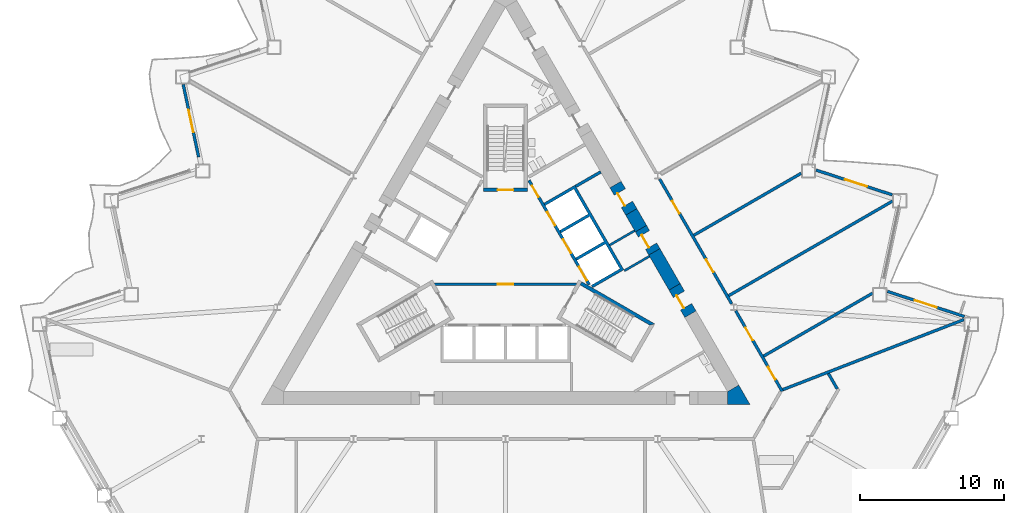
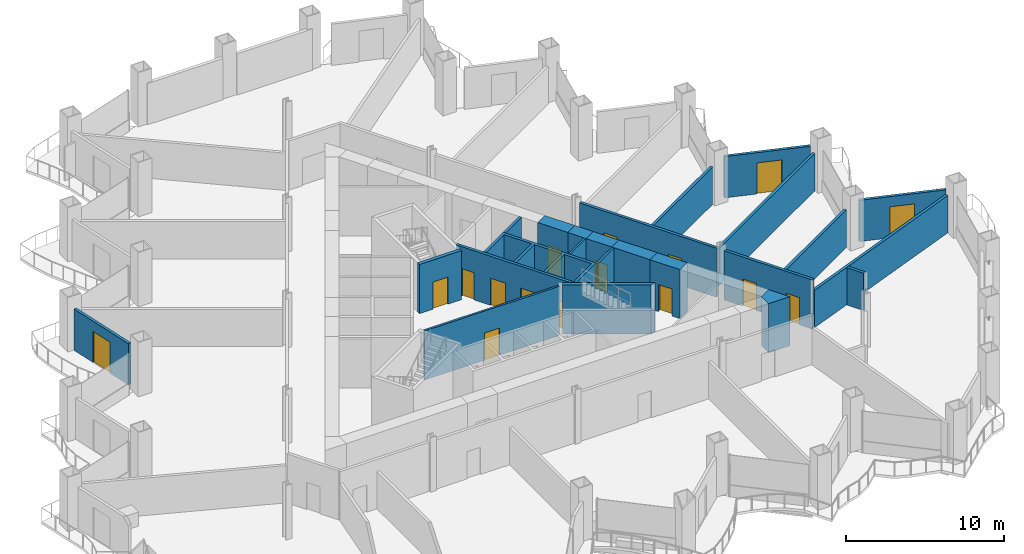
# One storey, part 11 of 21: 24 walls, 16 doors, 16 openings.
"""IFC4 building model written with IfcOpenShell, lengths in metres."""

from ifc_helpers import new_model, si_unit, direction, frame, frame_2d, origin, place, context, subcontext, project, spatial, polyline, rectangle, outline, extrude, material, layer, layer_set, type_object, element, fill, save


model = new_model("IFC4")

# Units and contexts
model_context = context("Model", 3, precision=1e-05, world=origin(), true_north=direction((0.0, 1.0)))
body_context = subcontext(model_context, "Body", "Model", "MODEL_VIEW")
ifc_project = project(units=[si_unit("LENGTHUNIT", "METRE"), si_unit("AREAUNIT", "SQUARE_METRE"), si_unit("VOLUMEUNIT", "CUBIC_METRE"), si_unit("PLANEANGLEUNIT", "RADIAN"), si_unit("MASSUNIT", "GRAM", prefix="KILO")], contexts=[model_context])

# Site, building, storey
site_placement = place(None, origin())
site = spatial("IfcSite", under=ifc_project, at=site_placement, CompositionType="ELEMENT")
building_placement = place(site_placement, origin())
building = spatial("IfcBuilding", under=site, at=building_placement, Name="Cormorant Prow Tower", CompositionType="ELEMENT")
storey_placement = place(building_placement, frame((0.0, 0.0, 42.60009765625)))
storey = spatial("IfcBuildingStorey", under=building, at=storey_placement, Name="L08", CompositionType="ELEMENT", Elevation=42.60009765625)

# Wall, opening, door
ifc_material_1 = material(Name="Gypsum board partition")
ifc_layer_1 = layer(ifc_material_1, 0.14990234375)
ifc_layer_set_1 = layer_set([ifc_layer_1], Name="Gypsum board partition")
wall_type_1 = type_object("IfcWallType", Name="Core partition 150", PredefinedType="PARTITIONING", material=ifc_layer_set_1)
wall_1_placement = place(storey_placement, frame((-4.941162109375, -1.449951171875, 0.0), z_axis=(0.0, 0.0, 1.0), x_axis=(1.0, 0.0, 0.0)))
wall_1 = element("IfcWall", 1, at=wall_1_placement, inside=storey, type_object=wall_type_1, Name="Firefighting lobby partition", PredefinedType="PARTITIONING", context=body_context, shape_type="SweptSolid", body=[
    extrude(rectangle(XDim=9.88232421875, YDim=0.14990234375, at=frame_2d((4.941162109375, 0.0))), origin(), (0.0, 0.0, 1.0), 3.7998046875),
])
opening_1_placement = place(wall_1_placement, frame((4.39111328125, 0.0, 0.0)))
opening_1 = element("IfcOpeningElement", 2, at=opening_1_placement, cuts=wall_1, Name="Opening L08-C11", PredefinedType="OPENING", context=body_context, shape_type="SweptSolid", body=[
    extrude(rectangle(XDim=1.10009765625, YDim=2.10009765625, at=frame_2d((0.550048828125, 1.050048828125))), frame((0.0, 0.0849609375, 0.0), z_axis=(0.0, -1.0, 0.0), x_axis=(1.0, 0.0, 0.0)), (0.0, 0.0, 1.0), 0.169921875),
])
ifc_material_2 = material(Name="Painted steel", Category="steel")
door_type_1 = type_object("IfcDoorType", Name="Firefighting lobby door 1100x2100", OperationType="NOTDEFINED", PredefinedType="DOOR", material=ifc_material_2)
door_1_placement = place(opening_1_placement, origin())
door_1 = element("IfcDoor", 3, at=door_1_placement, inside=storey, type_object=door_type_1, Name="Firefighting lobby door", OperationType="SINGLE_SWING_RIGHT", OverallHeight=2.10009765625, OverallWidth=1.10009765625, PredefinedType="DOOR", context=body_context, shape_type="SweptSolid", body=[
    extrude(rectangle(XDim=1.10009765625, YDim=2.10009765625, at=frame_2d((0.550048828125, 1.050048828125))), frame((0.0, 0.02490234375, 0.0), z_axis=(0.0, -1.0, 0.0), x_axis=(1.0, 0.0, 0.0)), (0.0, 0.0, 1.0), 0.050048828125),
])
fill(opening_1, door_1)

# Walls
wall_2_placement = place(storey_placement, frame((8.268310546875, -0.509033203125, 0.0), z_axis=(0.0, 0.0, 1.0), x_axis=(0.866035824272, 0.499981950752, 0.0)))
element("IfcWall", 4, at=wall_2_placement, inside=storey, type_object=wall_type_1, Name="Service room partition", PredefinedType="PARTITIONING", context=body_context, shape_type="SweptSolid", body=[
    extrude(rectangle(XDim=2.0087890625, YDim=0.14990234375, at=frame_2d((1.00439453125, 0.0))), origin(), (0.0, 0.0, 1.0), 3.7998046875),
])
wall_3_placement = place(storey_placement, frame((8.980712890625, 2.275146484375, 0.0), z_axis=(0.0, 0.0, 1.0), x_axis=(-0.866013584312, -0.500020471368, 0.0)))
element("IfcWall", 5, at=wall_3_placement, inside=storey, type_object=wall_type_1, Name="Service room partition", PredefinedType="PARTITIONING", context=body_context, shape_type="SweptSolid", body=[
    extrude(rectangle(XDim=2.00927734375, YDim=0.14990234375, at=frame_2d((1.004638671875, 0.0))), origin(), (0.0, 0.0, 1.0), 3.7998046875),
])
ifc_material_3 = material(Name="Concrete 8000 psi", Category="concrete")
ifc_layer_2 = layer(ifc_material_3, 0.89990234375)
ifc_layer_set_2 = layer_set([ifc_layer_2], Name="Concrete 8000 psi")
wall_type_2 = type_object("IfcWallType", Name="Core shear wall 900", PredefinedType="SHEAR", material=ifc_layer_set_2)
wall_4_placement = place(storey_placement, frame((11.7548828125, -1.63037109375, 0.0), z_axis=(0.0, 0.0, 1.0), x_axis=(-0.499943114462, 0.866058244174, 0.0)))
element("IfcWall", 6, at=wall_4_placement, inside=storey, type_object=wall_type_2, Name="Core wall", PredefinedType="SHEAR", context=body_context, shape_type="SweptSolid", body=[
    extrude(rectangle(XDim=2.809326171875, YDim=0.89990234375, at=frame_2d((1.40478515625, 0.0))), origin(), (0.0, 0.0, 1.0), 3.7998046875),
])
wall_5_placement = place(storey_placement, frame((9.417724609375, 2.417724609375, 0.0), z_axis=(0.0, 0.0, 1.0), x_axis=(-0.49995335277, 0.8660523339, 0.0)))
element("IfcWall", 7, at=wall_5_placement, inside=storey, type_object=wall_type_2, Name="Core wall", PredefinedType="SHEAR", context=body_context, shape_type="SweptSolid", body=[
    extrude(rectangle(XDim=1.342529296875, YDim=0.89990234375, at=frame_2d((0.67138671875, 0.0))), origin(), (0.0, 0.0, 1.0), 3.7998046875),
])
wall_6_placement = place(storey_placement, origin())
element("IfcWall", 8, at=wall_6_placement, inside=storey, type_object=wall_type_2, Name="Core wall corner", PredefinedType="SHEAR", context=body_context, shape_type="SweptSolid", body=[
    extrude(outline(polyline([(15.441162109375, -9.81494140625), (15.441162109375, -8.9150390625), (16.220703125, -8.465087890625), (17.0, -9.81494140625), (15.441162109375, -9.81494140625)])), origin(), (0.0, 0.0, 1.0), 3.7998046875),
])

# Wall, opening, door
wall_7_placement = place(storey_placement, frame((12.85498046875, -3.53564453125, 0.0), z_axis=(0.0, 0.0, 1.0), x_axis=(-0.50002983664, 0.866008176907, 0.0)))
wall_7 = element("IfcWall", 9, at=wall_7_placement, inside=storey, type_object=wall_type_2, Name="Core wall door panel", PredefinedType="SHEAR", context=body_context, shape_type="SweptSolid", body=[
    extrude(rectangle(XDim=2.199951171875, YDim=0.89990234375, at=frame_2d((1.10009765625, 0.0))), origin(), (0.0, 0.0, 1.0), 3.7998046875),
])
opening_2_placement = place(wall_7_placement, frame((0.60009765625, 0.0, 0.0)))
opening_2 = element("IfcOpeningElement", 10, at=opening_2_placement, cuts=wall_7, Name="Opening L08-C17", PredefinedType="OPENING", context=body_context, shape_type="SweptSolid", body=[
    extrude(rectangle(XDim=1.0, YDim=2.10009765625, at=frame_2d((0.5, 1.050048828125))), frame((0.0, 0.4599609375, 0.0), z_axis=(0.0, -1.0, 0.0), x_axis=(1.0, 0.0, 0.0)), (0.0, 0.0, 1.0), 0.919921875),
])
ifc_material_4 = material(Name="Painted steel", Category="steel")
door_type_2 = type_object("IfcDoorType", Name="Service door 1000x2100", OperationType="NOTDEFINED", PredefinedType="DOOR", material=ifc_material_4)
door_2_placement = place(opening_2_placement, origin())
door_2 = element("IfcDoor", 11, at=door_2_placement, inside=storey, type_object=door_type_2, Name="Core door, Electrical room", OperationType="SINGLE_SWING_LEFT", OverallHeight=2.10009765625, OverallWidth=1.0, PredefinedType="DOOR", context=body_context, shape_type="SweptSolid", body=[
    extrude(rectangle(XDim=1.0, YDim=2.10009765625, at=frame_2d((0.5, 1.050048828125))), frame((0.0, 0.205078125, 0.0), z_axis=(0.0, -1.0, 0.0), x_axis=(1.0, 0.0, 0.0)), (0.0, 0.0, 1.0), 0.050048828125),
])
fill(opening_2, door_2)

wall_8_placement = place(storey_placement, frame((10.350341796875, 0.802734375, 0.0), z_axis=(0.0, 0.0, 1.0), x_axis=(-0.500081290722, 0.865978465477, 0.0)))
wall_8 = element("IfcWall", 12, at=wall_8_placement, inside=storey, type_object=wall_type_2, Name="Core wall door panel", PredefinedType="SHEAR", context=body_context, shape_type="SweptSolid", body=[
    extrude(rectangle(XDim=1.864990234375, YDim=0.89990234375, at=frame_2d((0.9326171875, 0.0))), origin(), (0.0, 0.0, 1.0), 3.7998046875),
])
opening_3_placement = place(wall_8_placement, frame((0.449951171875, 0.0, 0.0)))
opening_3 = element("IfcOpeningElement", 13, at=opening_3_placement, cuts=wall_8, Name="Opening L08-C18", PredefinedType="OPENING", context=body_context, shape_type="SweptSolid", body=[
    extrude(rectangle(XDim=1.0, YDim=2.10009765625, at=frame_2d((0.5, 1.050048828125))), frame((0.0, 0.4599609375, 0.0), z_axis=(0.0, -1.0, 0.0), x_axis=(1.0, 0.0, 0.0)), (0.0, 0.0, 1.0), 0.919921875),
])
door_3_placement = place(opening_3_placement, origin())
door_3 = element("IfcDoor", 14, at=door_3_placement, inside=storey, type_object=door_type_2, Name="Core door, Mechanical riser room", OperationType="SINGLE_SWING_RIGHT", OverallHeight=2.10009765625, OverallWidth=1.0, PredefinedType="DOOR", context=body_context, shape_type="SweptSolid", body=[
    extrude(rectangle(XDim=1.0, YDim=2.10009765625, at=frame_2d((0.5, 1.050048828125))), frame((0.0, 0.205078125, 0.0), z_axis=(0.0, -1.0, 0.0), x_axis=(1.0, 0.0, 0.0)), (0.0, 0.0, 1.0), 0.050048828125),
])
fill(opening_3, door_3)

wall_9_placement = place(storey_placement, frame((8.74658203125, 3.580322265625, 0.0), z_axis=(0.0, 0.0, 1.0), x_axis=(-0.50002983664, 0.866008176907, 0.0)))
wall_9 = element("IfcWall", 15, at=wall_9_placement, inside=storey, type_object=wall_type_2, Name="Core wall door panel", PredefinedType="SHEAR", context=body_context, shape_type="SweptSolid", body=[
    extrude(rectangle(XDim=2.199951171875, YDim=0.89990234375, at=frame_2d((1.10009765625, 0.0))), origin(), (0.0, 0.0, 1.0), 3.7998046875),
])
opening_4_placement = place(wall_9_placement, frame((0.60009765625, 0.0, 0.0)))
opening_4 = element("IfcOpeningElement", 16, at=opening_4_placement, cuts=wall_9, Name="Opening L08-C20", PredefinedType="OPENING", context=body_context, shape_type="SweptSolid", body=[
    extrude(rectangle(XDim=1.0, YDim=2.10009765625, at=frame_2d((0.5, 1.050048828125))), frame((0.0, 0.4599609375, 0.0), z_axis=(0.0, -1.0, 0.0), x_axis=(1.0, 0.0, 0.0)), (0.0, 0.0, 1.0), 0.919921875),
])
door_4_placement = place(opening_4_placement, origin())
door_4 = element("IfcDoor", 17, at=door_4_placement, inside=storey, type_object=door_type_2, Name="Core door, Pantry store", OperationType="SINGLE_SWING_LEFT", OverallHeight=2.10009765625, OverallWidth=1.0, PredefinedType="DOOR", context=body_context, shape_type="SweptSolid", body=[
    extrude(rectangle(XDim=1.0, YDim=2.10009765625, at=frame_2d((0.5, 1.050048828125))), frame((0.0, 0.205078125, 0.0), z_axis=(0.0, -1.0, 0.0), x_axis=(1.0, 0.0, 0.0)), (0.0, 0.0, 1.0), 0.050048828125),
])
fill(opening_4, door_4)

# Wall, openings, doors
ifc_material_5 = material(Name="Gypsum board corridor wall")
ifc_layer_3 = layer(ifc_material_5, 0.199951171875)
ifc_layer_set_3 = layer_set([ifc_layer_3], Name="Gypsum board corridor wall")
wall_type_3 = type_object("IfcWallType", Name="Corridor wall 200", PredefinedType="PARTITIONING", material=ifc_layer_set_3)
wall_10_placement = place(storey_placement, frame((10.718505859375, 5.865234375, 0.0), z_axis=(0.0, 0.0, 1.0), x_axis=(0.49999175339, -0.866030164915, 0.0)))
wall_10 = element("IfcWall", 18, at=wall_10_placement, inside=storey, type_object=wall_type_3, Name="Corridor wall", PredefinedType="PARTITIONING", context=body_context, shape_type="SweptSolid", body=[
    extrude(rectangle(XDim=10.018798828125, YDim=0.199951171875, at=frame_2d((5.00927734375, 0.0))), origin(), (0.0, 0.0, 1.0), 3.7998046875),
])
opening_5_placement = place(wall_10_placement, frame((6.4638671875, 0.0, 0.0)))
opening_5 = element("IfcOpeningElement", 19, at=opening_5_placement, cuts=wall_10, Name="Opening L08-F09", PredefinedType="OPENING", context=body_context, shape_type="SweptSolid", body=[
    extrude(rectangle(XDim=1.0, YDim=2.10009765625, at=frame_2d((0.5, 1.050048828125))), frame((0.0, 0.10986328125, 0.0), z_axis=(0.0, -1.0, 0.0), x_axis=(1.0, 0.0, 0.0)), (0.0, 0.0, 1.0), 0.219970703125),
])
opening_6_placement = place(wall_10_placement, frame((1.75341796875, 0.0, 0.0)))
opening_6 = element("IfcOpeningElement", 20, at=opening_6_placement, cuts=wall_10, Name="Opening L08-F10", PredefinedType="OPENING", context=body_context, shape_type="SweptSolid", body=[
    extrude(rectangle(XDim=1.0, YDim=2.10009765625, at=frame_2d((0.5, 1.050048828125))), frame((0.0, 0.10986328125, 0.0), z_axis=(0.0, -1.0, 0.0), x_axis=(1.0, 0.0, 0.0)), (0.0, 0.0, 1.0), 0.219970703125),
])
ifc_material_6 = material(Name="Timber door leaf", Category="wood")
door_type_3 = type_object("IfcDoorType", Name="Office door 1000x2100", OperationType="NOTDEFINED", PredefinedType="DOOR", material=ifc_material_6)
door_5_placement = place(opening_5_placement, origin())
door_5 = element("IfcDoor", 21, at=door_5_placement, inside=storey, type_object=door_type_3, Name="Meeting room door", OperationType="SINGLE_SWING_RIGHT", OverallHeight=2.10009765625, OverallWidth=1.0, PredefinedType="DOOR", context=body_context, shape_type="SweptSolid", body=[
    extrude(rectangle(XDim=1.0, YDim=2.10009765625, at=frame_2d((0.5, 1.050048828125))), frame((0.0, 0.02490234375, 0.0), z_axis=(0.0, -1.0, 0.0), x_axis=(1.0, 0.0, 0.0)), (0.0, 0.0, 1.0), 0.050048828125),
])
fill(opening_5, door_5)
door_6_placement = place(opening_6_placement, origin())
door_6 = element("IfcDoor", 22, at=door_6_placement, inside=storey, type_object=door_type_3, Name="Meeting room door", OperationType="SINGLE_SWING_LEFT", OverallHeight=2.10009765625, OverallWidth=1.0, PredefinedType="DOOR", context=body_context, shape_type="SweptSolid", body=[
    extrude(rectangle(XDim=1.0, YDim=2.10009765625, at=frame_2d((0.5, 1.050048828125))), frame((0.0, 0.02490234375, 0.0), z_axis=(0.0, -1.0, 0.0), x_axis=(1.0, 0.0, 0.0)), (0.0, 0.0, 1.0), 0.050048828125),
])
fill(opening_6, door_6)

wall_11_placement = place(storey_placement, frame((16.007568359375, -3.2958984375, 0.0), z_axis=(0.0, 0.0, 1.0), x_axis=(0.499984737558, -0.86603421538, 0.0)))
wall_11 = element("IfcWall", 23, at=wall_11_placement, inside=storey, type_object=wall_type_3, Name="Corridor wall", PredefinedType="PARTITIONING", context=body_context, shape_type="SweptSolid", body=[
    extrude(rectangle(XDim=6.472900390625, YDim=0.199951171875, at=frame_2d((3.236328125, 0.0))), origin(), (0.0, 0.0, 1.0), 3.7998046875),
])
opening_7_placement = place(wall_11_placement, frame((4.51220703125, 0.0, 0.0)))
opening_7 = element("IfcOpeningElement", 24, at=opening_7_placement, cuts=wall_11, Name="Opening L08-F07", PredefinedType="OPENING", context=body_context, shape_type="SweptSolid", body=[
    extrude(rectangle(XDim=1.0, YDim=2.10009765625, at=frame_2d((0.5, 1.050048828125))), frame((0.0, 0.10986328125, 0.0), z_axis=(0.0, -1.0, 0.0), x_axis=(1.0, 0.0, 0.0)), (0.0, 0.0, 1.0), 0.219970703125),
])
opening_8_placement = place(wall_11_placement, frame((1.3662109375, 0.0, 0.0)))
opening_8 = element("IfcOpeningElement", 25, at=opening_8_placement, cuts=wall_11, Name="Opening L08-F08", PredefinedType="OPENING", context=body_context, shape_type="SweptSolid", body=[
    extrude(rectangle(XDim=1.0, YDim=2.10009765625, at=frame_2d((0.5, 1.050048828125))), frame((0.0, 0.10986328125, 0.0), z_axis=(0.0, -1.0, 0.0), x_axis=(1.0, 0.0, 0.0)), (0.0, 0.0, 1.0), 0.219970703125),
])
door_7_placement = place(opening_7_placement, origin())
door_7 = element("IfcDoor", 26, at=door_7_placement, inside=storey, type_object=door_type_3, Name="Meeting room door", OperationType="SINGLE_SWING_LEFT", OverallHeight=2.10009765625, OverallWidth=1.0, PredefinedType="DOOR", context=body_context, shape_type="SweptSolid", body=[
    extrude(rectangle(XDim=1.0, YDim=2.10009765625, at=frame_2d((0.5, 1.050048828125))), frame((0.0, 0.02490234375, 0.0), z_axis=(0.0, -1.0, 0.0), x_axis=(1.0, 0.0, 0.0)), (0.0, 0.0, 1.0), 0.050048828125),
])
fill(opening_7, door_7)
door_8_placement = place(opening_8_placement, origin())
door_8 = element("IfcDoor", 27, at=door_8_placement, inside=storey, type_object=door_type_3, Name="Meeting room door", OperationType="SINGLE_SWING_RIGHT", OverallHeight=2.10009765625, OverallWidth=1.0, PredefinedType="DOOR", context=body_context, shape_type="SweptSolid", body=[
    extrude(rectangle(XDim=1.0, YDim=2.10009765625, at=frame_2d((0.5, 1.050048828125))), frame((0.0, 0.02490234375, 0.0), z_axis=(0.0, -1.0, 0.0), x_axis=(1.0, 0.0, 0.0)), (0.0, 0.0, 1.0), 0.050048828125),
])
fill(opening_8, door_8)

# Walls
ifc_material_7 = material(Name="Gypsum board demising wall")
ifc_layer_4 = layer(ifc_material_7, 0.199951171875)
ifc_layer_set_4 = layer_set([ifc_layer_4], Name="Gypsum board demising wall")
wall_type_4 = type_object("IfcWallType", Name="Demising wall 200", PredefinedType="PARTITIONING", material=ifc_layer_set_4)
wall_12_placement = place(storey_placement, frame((19.287109375, -8.77880859375, 0.0), z_axis=(0.0, 0.0, 1.0), x_axis=(0.932669586354, 0.360731815467, 0.0)))
element("IfcWall", 28, at=wall_12_placement, inside=storey, type_object=wall_type_4, Name="Demising wall", PredefinedType="PARTITIONING", context=body_context, shape_type="SweptSolid", body=[
    extrude(rectangle(XDim=13.501220703125, YDim=0.199951171875, at=frame_2d((6.75048828125, 0.0))), origin(), (0.0, 0.0, 1.0), 2.88525390625),
])
wall_13_placement = place(storey_placement, frame((15.517578125, -2.24755859375, 0.0), z_axis=(0.0, 0.0, 1.0), x_axis=(0.866025231175, 0.500000298968, 0.0)))
element("IfcWall", 29, at=wall_13_placement, inside=storey, type_object=wall_type_4, Name="Demising wall", PredefinedType="PARTITIONING", context=body_context, shape_type="SweptSolid", body=[
    extrude(rectangle(XDim=13.15869140625, YDim=0.199951171875, at=frame_2d((6.579345703125, 0.0))), origin(), (0.0, 0.0, 1.0), 2.88525390625),
])
wall_14_placement = place(storey_placement, frame((17.944091796875, -6.4501953125, 0.0), z_axis=(0.0, 0.0, 1.0), x_axis=(0.866025328989, 0.50000012955, 0.0)))
element("IfcWall", 30, at=wall_14_placement, inside=storey, type_object=wall_type_4, Name="Demising wall", PredefinedType="PARTITIONING", context=body_context, shape_type="SweptSolid", body=[
    extrude(rectangle(XDim=8.75244140625, YDim=0.199951171875, at=frame_2d((4.376220703125, 0.0))), origin(), (0.0, 0.0, 1.0), 2.88525390625),
])
wall_15_placement = place(storey_placement, frame((13.09130859375, 1.954833984375, 0.0), z_axis=(0.0, 0.0, 1.0), x_axis=(0.866026670206, 0.499997806488, 0.0)))
element("IfcWall", 31, at=wall_15_placement, inside=storey, type_object=wall_type_4, Name="Demising wall", PredefinedType="PARTITIONING", context=body_context, shape_type="SweptSolid", body=[
    extrude(rectangle(XDim=8.62158203125, YDim=0.199951171875, at=frame_2d((4.310791015625, 0.0))), origin(), (0.0, 0.0, 1.0), 2.88525390625),
])
wall_16_placement = place(storey_placement, frame((22.453125, -7.66015625, 0.0), z_axis=(0.0, 0.0, 1.0), x_axis=(0.499928040405, -0.86606694569, 0.0)))
element("IfcWall", 32, at=wall_16_placement, inside=storey, type_object=wall_type_4, Name="Demising wall", PredefinedType="PARTITIONING", context=body_context, shape_type="SweptSolid", body=[
    extrude(rectangle(XDim=1.233642578125, YDim=0.199951171875, at=frame_2d((0.61669921875, 0.0))), origin(), (0.0, 0.0, 1.0), 2.88525390625),
])

# Wall, openings, doors
ifc_material_8 = material(Name="Concrete 5000 psi", Category="concrete")
ifc_layer_5 = layer(ifc_material_8, 0.199951171875)
ifc_layer_set_5 = layer_set([ifc_layer_5], Name="Concrete 5000 psi")
wall_type_5 = type_object("IfcWallType", Name="Lift lobby wall 200", PredefinedType="SOLIDWALL", material=ifc_layer_set_5)
wall_17_placement = place(storey_placement, frame((5.817138671875, -1.4755859375, 0.0), z_axis=(0.0, 0.0, 1.0), x_axis=(-0.500002616675, 0.866023893041, 0.0)))
wall_17 = element("IfcWall", 33, at=wall_17_placement, inside=storey, type_object=wall_type_5, Name="Lift lobby wall, ENE block", PredefinedType="SOLIDWALL", context=body_context, shape_type="SweptSolid", body=[
    extrude(rectangle(XDim=8.373046875, YDim=0.199951171875, at=frame_2d((4.1865234375, 0.0))), origin(), (0.0, 0.0, 1.0), 3.7998046875),
])
opening_9_placement = place(wall_17_placement, frame((0.336669921875, 0.0, 0.0)))
opening_9 = element("IfcOpeningElement", 34, at=opening_9_placement, cuts=wall_17, Name="Opening L08-C05", PredefinedType="OPENING", context=body_context, shape_type="SweptSolid", body=[
    extrude(rectangle(XDim=1.10009765625, YDim=2.10009765625, at=frame_2d((0.550048828125, 1.050048828125))), frame((0.0, 0.10986328125, 0.0), z_axis=(0.0, -1.0, 0.0), x_axis=(1.0, 0.0, 0.0)), (0.0, 0.0, 1.0), 0.219970703125),
])
opening_10_placement = place(wall_17_placement, frame((2.53662109375, 0.0, 0.0)))
opening_10 = element("IfcOpeningElement", 35, at=opening_10_placement, cuts=wall_17, Name="Opening L08-C06", PredefinedType="OPENING", context=body_context, shape_type="SweptSolid", body=[
    extrude(rectangle(XDim=1.10009765625, YDim=2.10009765625, at=frame_2d((0.550048828125, 1.050048828125))), frame((0.0, 0.10986328125, 0.0), z_axis=(0.0, -1.0, 0.0), x_axis=(1.0, 0.0, 0.0)), (0.0, 0.0, 1.0), 0.219970703125),
])
opening_11_placement = place(wall_17_placement, frame((4.736572265625, 0.0, 0.0)))
opening_11 = element("IfcOpeningElement", 36, at=opening_11_placement, cuts=wall_17, Name="Opening L08-C07", PredefinedType="OPENING", context=body_context, shape_type="SweptSolid", body=[
    extrude(rectangle(XDim=1.10009765625, YDim=2.10009765625, at=frame_2d((0.550048828125, 1.050048828125))), frame((0.0, 0.10986328125, 0.0), z_axis=(0.0, -1.0, 0.0), x_axis=(1.0, 0.0, 0.0)), (0.0, 0.0, 1.0), 0.219970703125),
])
opening_12_placement = place(wall_17_placement, frame((7.03662109375, 0.0, 0.0)))
opening_12 = element("IfcOpeningElement", 37, at=opening_12_placement, cuts=wall_17, Name="Opening L08-C08", PredefinedType="OPENING", context=body_context, shape_type="SweptSolid", body=[
    extrude(rectangle(XDim=0.89990234375, YDim=2.10009765625, at=frame_2d((0.449951171875, 1.050048828125))), frame((0.0, 0.10986328125, 0.0), z_axis=(0.0, -1.0, 0.0), x_axis=(1.0, 0.0, 0.0)), (0.0, 0.0, 1.0), 0.219970703125),
])
ifc_material_9 = material(Name="Painted steel", Category="steel")
door_type_4 = type_object("IfcDoorType", Name="Lift landing door 1100x2100", OperationType="SLIDING_TO_LEFT", PredefinedType="DOOR", material=ifc_material_9)
door_9_placement = place(opening_9_placement, origin())
door_9 = element("IfcDoor", 38, at=door_9_placement, inside=storey, type_object=door_type_4, Name="Landing door LR2", OperationType="SLIDING_TO_LEFT", OverallHeight=2.10009765625, OverallWidth=1.10009765625, PredefinedType="DOOR", context=body_context, shape_type="SweptSolid", body=[
    extrude(rectangle(XDim=1.10009765625, YDim=2.10009765625, at=frame_2d((0.550048828125, 1.050048828125))), frame((0.0, 0.02490234375, 0.0), z_axis=(0.0, -1.0, 0.0), x_axis=(1.0, 0.0, 0.0)), (0.0, 0.0, 1.0), 0.050048828125),
])
fill(opening_9, door_9)
door_10_placement = place(opening_10_placement, origin())
door_10 = element("IfcDoor", 39, at=door_10_placement, inside=storey, type_object=door_type_4, Name="Landing door LR3", OperationType="SLIDING_TO_LEFT", OverallHeight=2.10009765625, OverallWidth=1.10009765625, PredefinedType="DOOR", context=body_context, shape_type="SweptSolid", body=[
    extrude(rectangle(XDim=1.10009765625, YDim=2.10009765625, at=frame_2d((0.550048828125, 1.050048828125))), frame((0.0, 0.02490234375, 0.0), z_axis=(0.0, -1.0, 0.0), x_axis=(1.0, 0.0, 0.0)), (0.0, 0.0, 1.0), 0.050048828125),
])
fill(opening_10, door_10)
door_11_placement = place(opening_11_placement, origin())
door_11 = element("IfcDoor", 40, at=door_11_placement, inside=storey, type_object=door_type_4, Name="Landing door LR4", OperationType="SLIDING_TO_LEFT", OverallHeight=2.10009765625, OverallWidth=1.10009765625, PredefinedType="DOOR", context=body_context, shape_type="SweptSolid", body=[
    extrude(rectangle(XDim=1.10009765625, YDim=2.10009765625, at=frame_2d((0.550048828125, 1.050048828125))), frame((0.0, 0.02490234375, 0.0), z_axis=(0.0, -1.0, 0.0), x_axis=(1.0, 0.0, 0.0)), (0.0, 0.0, 1.0), 0.050048828125),
])
fill(opening_11, door_11)
ifc_material_10 = material(Name="Painted steel", Category="steel")
door_type_5 = type_object("IfcDoorType", Name="Service door 900x2100", OperationType="NOTDEFINED", PredefinedType="DOOR", material=ifc_material_10)
door_12_placement = place(opening_12_placement, origin())
door_12 = element("IfcDoor", 41, at=door_12_placement, inside=storey, type_object=door_type_5, Name="Service door, Refuse store", OperationType="SINGLE_SWING_RIGHT", OverallHeight=2.10009765625, OverallWidth=0.89990234375, PredefinedType="DOOR", context=body_context, shape_type="SweptSolid", body=[
    extrude(rectangle(XDim=0.89990234375, YDim=2.10009765625, at=frame_2d((0.449951171875, 1.050048828125))), frame((0.0, 0.02490234375, 0.0), z_axis=(0.0, -1.0, 0.0), x_axis=(1.0, 0.0, 0.0)), (0.0, 0.0, 1.0), 0.050048828125),
])
fill(opening_12, door_12)

# Walls
ifc_material_11 = material(Name="Concrete 8000 psi", Category="concrete")
ifc_layer_6 = layer(ifc_material_11, 0.199951171875)
ifc_layer_set_6 = layer_set([ifc_layer_6], Name="Concrete 8000 psi")
wall_type_6 = type_object("IfcWallType", Name="Lift shaft wall 200", PredefinedType="SHEAR", material=ifc_layer_set_6)
wall_18_placement = place(storey_placement, origin())
element("IfcWall", 42, at=wall_18_placement, inside=storey, type_object=wall_type_6, Name="Lift shaft walls, ENE block", PredefinedType="SHEAR", context=body_context, shape_type="SweptSolid", body=[
    extrude(outline(polyline([(2.660400390625, 4.19189453125), (4.830810546875, 5.44482421875), (8.230712890625, -0.444091796875), (6.060546875, -1.697021484375), (5.96044921875, -1.52392578125), (7.952392578125, -0.373779296875), (6.952392578125, 1.358154296875), (4.96044921875, 0.2080078125), (4.860595703125, 0.38134765625), (6.852294921875, 1.53125), (5.852294921875, 3.263427734375), (3.860595703125, 2.11328125), (3.760498046875, 2.28662109375), (5.75244140625, 3.4365234375), (4.75244140625, 5.168701171875), (2.760498046875, 4.018798828125), (2.660400390625, 4.19189453125)])), origin(), (0.0, 0.0, 1.0), 3.7998046875),
])
wall_19_placement = place(storey_placement, frame((4.880859375, 5.3583984375, 0.0), z_axis=(0.0, 0.0, 1.0), x_axis=(0.866035824272, 0.499981950752, 0.0)))
element("IfcWall", 43, at=wall_19_placement, inside=storey, type_object=wall_type_6, Name="Store side wall", PredefinedType="SHEAR", context=body_context, shape_type="SweptSolid", body=[
    extrude(rectangle(XDim=2.0087890625, YDim=0.199951171875, at=frame_2d((1.00439453125, 0.0))), origin(), (0.0, 0.0, 1.0), 3.7998046875),
])
ifc_material_12 = material(Name="Concrete 8000 psi", Category="concrete")
ifc_layer_7 = layer(ifc_material_12, 0.25)
ifc_layer_set_7 = layer_set([ifc_layer_7], Name="Concrete 8000 psi")
wall_type_7 = type_object("IfcWallType", Name="Stair wall 250", PredefinedType="SHEAR", material=ifc_layer_set_7)
wall_20_placement = place(storey_placement, origin())
element("IfcWall", 44, at=wall_20_placement, inside=storey, type_object=wall_type_7, Name="Stair ST2 enclosure wall (flank)", PredefinedType="SHEAR", context=body_context, shape_type="SweptSolid", body=[
    extrude(outline(polyline([(10.031982421875, -4.2978515625), (10.37353515625, -4.206298828125), (5.30712890625, -1.28125), (5.18212890625, -1.497802734375), (10.031982421875, -4.2978515625)])), origin(), (0.0, 0.0, 1.0), 3.7998046875),
])

# Wall, opening, door
wall_21_placement = place(storey_placement, frame((1.5439453125, 5.11181640625, 0.0), z_axis=(0.0, 0.0, 1.0), x_axis=(-1.0, 0.0, 0.0)))
wall_21 = element("IfcWall", 45, at=wall_21_placement, inside=storey, type_object=wall_type_7, Name="Stair ST3 door wall", PredefinedType="SHEAR", context=body_context, shape_type="SweptSolid", body=[
    extrude(rectangle(XDim=3.087890625, YDim=0.25, at=frame_2d((1.5439453125, 0.0))), origin(), (0.0, 0.0, 1.0), 3.7998046875),
])
opening_13_placement = place(wall_21_placement, frame((0.993896484375, 0.0, 0.0)))
opening_13 = element("IfcOpeningElement", 46, at=opening_13_placement, cuts=wall_21, Name="Opening L08-C14", PredefinedType="OPENING", context=body_context, shape_type="SweptSolid", body=[
    extrude(rectangle(XDim=1.10009765625, YDim=2.10009765625, at=frame_2d((0.550048828125, 1.050048828125))), frame((0.0, 0.135009765625, 0.0), z_axis=(0.0, -1.0, 0.0), x_axis=(1.0, 0.0, 0.0)), (0.0, 0.0, 1.0), 0.27001953125),
])
ifc_material_13 = material(Name="Painted steel", Category="steel")
door_type_6 = type_object("IfcDoorType", Name="Stair door 1100x2100", OperationType="NOTDEFINED", PredefinedType="DOOR", material=ifc_material_13)
door_13_placement = place(opening_13_placement, origin())
door_13 = element("IfcDoor", 47, at=door_13_placement, inside=storey, type_object=door_type_6, Name="Stair ST3 door", OperationType="SINGLE_SWING_LEFT", OverallHeight=2.10009765625, OverallWidth=1.10009765625, PredefinedType="DOOR", context=body_context, shape_type="SweptSolid", body=[
    extrude(rectangle(XDim=1.10009765625, YDim=2.10009765625, at=frame_2d((0.550048828125, 1.050048828125))), frame((0.0, 0.02490234375, 0.0), z_axis=(0.0, -1.0, 0.0), x_axis=(1.0, 0.0, 0.0)), (0.0, 0.0, 1.0), 0.050048828125),
])
fill(opening_13, door_13)

ifc_material_14 = material(Name="Terracotta", Category="masonry")
ifc_layer_8 = layer(ifc_material_14, 0.199951171875)
ifc_layer_set_8 = layer_set([ifc_layer_8], Name="Terracotta")
wall_type_8 = type_object("IfcWallType", Name="Terracotta jamb wall 200", PredefinedType="SOLIDWALL", material=ifc_layer_set_8)
wall_22_placement = place(storey_placement, frame((31.9140625, -3.69287109375, 0.0), z_axis=(0.0, 0.0, 1.0), x_axis=(-0.951049360908, 0.309039015525, 0.0)))
wall_22 = element("IfcWall", 48, at=wall_22_placement, inside=storey, type_object=wall_type_8, Name="Terracotta jamb wall ENE01", PredefinedType="SOLIDWALL", context=body_context, shape_type="SweptSolid", body=[
    extrude(rectangle(XDim=5.631103515625, YDim=0.199951171875, at=frame_2d((2.8154296875, 0.0))), origin(), (0.0, 0.0, 1.0), 3.188720703125),
])
opening_14_placement = place(wall_22_placement, frame((2.031005859375, 0.0, 0.0)))
opening_14 = element("IfcOpeningElement", 49, at=opening_14_placement, cuts=wall_22, Name="Opening ED08.06", PredefinedType="OPENING", context=body_context, shape_type="SweptSolid", body=[
    extrude(rectangle(XDim=1.60009765625, YDim=2.39990234375, at=frame_2d((0.800048828125, 1.199951171875))), frame((0.0, 0.10986328125, 0.0), z_axis=(0.0, -1.0, 0.0), x_axis=(1.0, 0.0, 0.0)), (0.0, 0.0, 1.0), 0.219970703125),
])
ifc_material_15 = material(Name="Aluminium 6063-T6", Category="aluminium")
door_type_7 = type_object("IfcDoorType", Name="Balcony door 1600x2400", OperationType="DOUBLE_DOOR_SINGLE_SWING", PredefinedType="DOOR", material=ifc_material_15)
door_14_placement = place(opening_14_placement, origin())
door_14 = element("IfcDoor", 50, at=door_14_placement, inside=storey, type_object=door_type_7, Name="Balcony door ENE01 ED08.06", OperationType="DOUBLE_DOOR_SINGLE_SWING", OverallHeight=2.39990234375, OverallWidth=1.60009765625, PredefinedType="DOOR", context=body_context, shape_type="SweptSolid", body=[
    extrude(rectangle(XDim=1.60009765625, YDim=2.39990234375, at=frame_2d((0.800048828125, 1.199951171875))), frame((0.0, 0.02490234375, 0.0), z_axis=(0.0, -1.0, 0.0), x_axis=(1.0, 0.0, 0.0)), (0.0, 0.0, 1.0), 0.050048828125),
])
fill(opening_14, door_14)

wall_23_placement = place(storey_placement, frame((26.898681640625, 4.76513671875, 0.0), z_axis=(0.0, 0.0, 1.0), x_axis=(-0.951054004345, 0.309024725255, 0.0)))
wall_23 = element("IfcWall", 51, at=wall_23_placement, inside=storey, type_object=wall_type_8, Name="Terracotta jamb wall ENE03", PredefinedType="SOLIDWALL", context=body_context, shape_type="SweptSolid", body=[
    extrude(rectangle(XDim=5.579345703125, YDim=0.199951171875, at=frame_2d((2.78955078125, 0.0))), origin(), (0.0, 0.0, 1.0), 3.188720703125),
])
opening_15_placement = place(wall_23_placement, frame((1.85986328125, 0.0, 0.0)))
opening_15 = element("IfcOpeningElement", 52, at=opening_15_placement, cuts=wall_23, Name="Opening ED08.07", PredefinedType="OPENING", context=body_context, shape_type="SweptSolid", body=[
    extrude(rectangle(XDim=1.60009765625, YDim=2.39990234375, at=frame_2d((0.800048828125, 1.199951171875))), frame((0.0, 0.10986328125, 0.0), z_axis=(0.0, -1.0, 0.0), x_axis=(1.0, 0.0, 0.0)), (0.0, 0.0, 1.0), 0.219970703125),
])
door_15_placement = place(opening_15_placement, origin())
door_15 = element("IfcDoor", 53, at=door_15_placement, inside=storey, type_object=door_type_7, Name="Balcony door ENE03 ED08.07", OperationType="DOUBLE_DOOR_SINGLE_SWING", OverallHeight=2.39990234375, OverallWidth=1.60009765625, PredefinedType="DOOR", context=body_context, shape_type="SweptSolid", body=[
    extrude(rectangle(XDim=1.60009765625, YDim=2.39990234375, at=frame_2d((0.800048828125, 1.199951171875))), frame((0.0, 0.02490234375, 0.0), z_axis=(0.0, -1.0, 0.0), x_axis=(1.0, 0.0, 0.0)), (0.0, 0.0, 1.0), 0.050048828125),
])
fill(opening_15, door_15)

wall_24_placement = place(storey_placement, frame((-22.416259765625, 12.448974609375, 0.0), z_axis=(0.0, 0.0, 1.0), x_axis=(0.207907400709, -0.978148512615, 0.0)))
wall_24 = element("IfcWall", 54, at=wall_24_placement, inside=storey, type_object=wall_type_8, Name="Terracotta jamb wall WNW05", PredefinedType="SOLIDWALL", context=body_context, shape_type="SweptSolid", body=[
    extrude(rectangle(XDim=5.162109375, YDim=0.199951171875, at=frame_2d((2.5810546875, 0.0))), origin(), (0.0, 0.0, 1.0), 3.188720703125),
])
opening_16_placement = place(wall_24_placement, frame((1.80029296875, 0.0, 0.0)))
opening_16 = element("IfcOpeningElement", 55, at=opening_16_placement, cuts=wall_24, Name="Opening ED08.13", PredefinedType="OPENING", context=body_context, shape_type="SweptSolid", body=[
    extrude(rectangle(XDim=1.60009765625, YDim=2.39990234375, at=frame_2d((0.800048828125, 1.199951171875))), frame((0.0, 0.10986328125, 0.0), z_axis=(0.0, -1.0, 0.0), x_axis=(1.0, 0.0, 0.0)), (0.0, 0.0, 1.0), 0.219970703125),
])
door_16_placement = place(opening_16_placement, origin())
door_16 = element("IfcDoor", 56, at=door_16_placement, inside=storey, type_object=door_type_7, Name="Balcony door WNW05 ED08.13", OperationType="DOUBLE_DOOR_SINGLE_SWING", OverallHeight=2.39990234375, OverallWidth=1.60009765625, PredefinedType="DOOR", context=body_context, shape_type="SweptSolid", body=[
    extrude(rectangle(XDim=1.60009765625, YDim=2.39990234375, at=frame_2d((0.800048828125, 1.199951171875))), frame((0.0, 0.02490234375, 0.0), z_axis=(0.0, -1.0, 0.0), x_axis=(1.0, 0.0, 0.0)), (0.0, 0.0, 1.0), 0.050048828125),
])
fill(opening_16, door_16)

save(model, "model.ifc")
